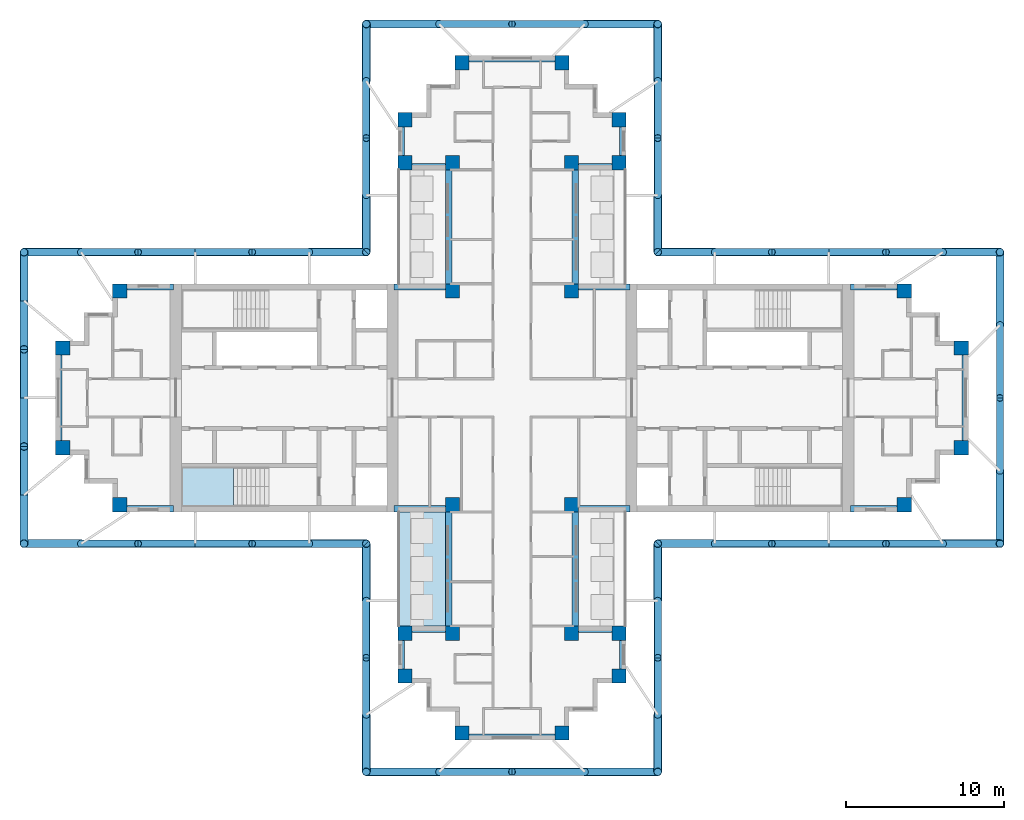
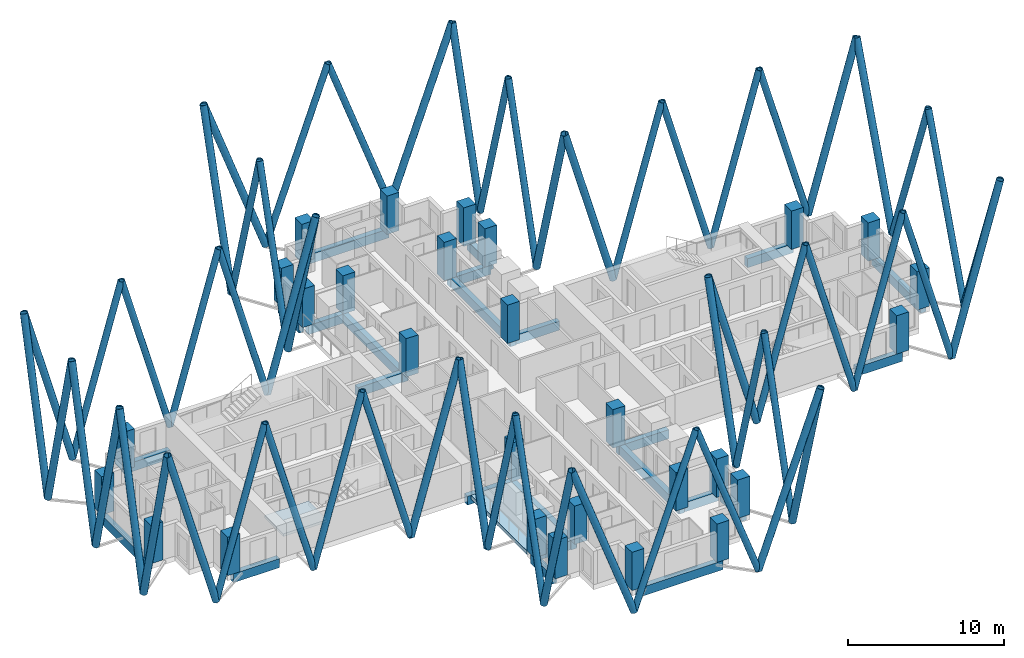
# One storey, part 1 of 11: 58 members, 28 columns, 24 beams, 2 slabs, 1 element without a shape of its own.
"""IFC4 building model written with IfcOpenShell, lengths in metres."""

from ifc_helpers import new_model, si_unit, direction, frame, origin, origin_2d, place, context, subcontext, project, spatial, polyline, rectangle, hollow_circle, outline, extrude, material, layer, layer_set, material_profile, profile_set, type_object, element, aggregate, save


model = new_model("IFC4")

# Units and contexts
model_context = context("Model", 3, precision=1e-05, world=origin(), true_north=direction((0.0, 1.0)))
body_context = subcontext(model_context, "Body", "Model", "MODEL_VIEW")
ifc_project = project(units=[si_unit("LENGTHUNIT", "METRE"), si_unit("AREAUNIT", "SQUARE_METRE"), si_unit("VOLUMEUNIT", "CUBIC_METRE"), si_unit("PLANEANGLEUNIT", "RADIAN"), si_unit("MASSUNIT", "GRAM", prefix="KILO")], contexts=[model_context])

# Site, building, storey
site_placement = place(None, origin())
site = spatial("IfcSite", under=ifc_project, at=site_placement, CompositionType="ELEMENT")
building_placement = place(site_placement, origin())
building = spatial("IfcBuilding", under=site, at=building_placement, Name="Fustian Cross Tower", CompositionType="ELEMENT")
storey_placement = place(building_placement, frame((0.0, 0.0, 234.89990234375)))
storey = spatial("IfcBuildingStorey", under=building, at=storey_placement, Name="L74", CompositionType="ELEMENT", Elevation=234.89990234375)

# Columns
ifc_material_1 = material(Name="Concrete C40/50", Category="concrete")
ifc_material_profile_1 = material_profile(ifc_material_1, rectangle(XDim=0.89990234375, YDim=0.89990234375, at=origin_2d()), Name="RC 900x900")
ifc_profile_set_1 = profile_set([ifc_material_profile_1], Name="Concrete C40/50")
column_type = type_object("IfcColumnType", Name="COLUMN RC 900x900 C40/50", PredefinedType="COLUMN", material=ifc_profile_set_1)
for number, where, z_axis, x_axis, name in (
    (1, (-28.35009765625, -3.14990234375, 0.0), (0.0, 0.0, 1.0), (1.0, 0.0, 0.0), "COLUMN 008"),
    (2, (-28.35009765625, 3.14990234375, 0.0), (0.0, 0.0, 1.0), (1.0, 0.0, 0.0), "COLUMN 009"),
    (3, (-24.75, -6.75, 0.0), (0.0, 0.0, 1.0), (1.0, 0.0, 0.0), "COLUMN 011"),
    (4, (-24.75, 6.75, 0.0), (0.0, 0.0, 1.0), (1.0, 0.0, 0.0), "COLUMN 012"),
    (5, (-6.75, -17.550048828125, 0.0), (0.0, 0.0, 1.0), (1.0, 0.0, 0.0), "COLUMN 017"),
    (6, (-6.75, -14.85009765625, 0.0), (0.0, 0.0, 1.0), (1.0, 0.0, 0.0), "COLUMN 018"),
    (7, (-6.75, 14.85009765625, 0.0), (0.0, 0.0, 1.0), (1.0, 0.0, 0.0), "COLUMN 019"),
    (8, (-6.75, 17.550048828125, 0.0), (0.0, 0.0, 1.0), (1.0, 0.0, 0.0), "COLUMN 020"),
    (9, (-3.75, -14.85009765625, 0.0), (0.0, 0.0, 1.0), (1.0, 0.0, 0.0), "COLUMN 025"),
    (10, (-3.75, -6.75, 0.0), (0.0, 0.0, 1.0), (1.0, 0.0, 0.0), "COLUMN 026"),
    (11, (-3.75, 6.75, 0.0), (0.0, 0.0, 1.0), (1.0, 0.0, 0.0), "COLUMN 027"),
    (12, (-3.75, 14.85009765625, 0.0), (0.0, 0.0, 1.0), (1.0, 0.0, 0.0), "COLUMN 028"),
    (13, (-3.14990234375, -21.14990234375, 0.0), (0.0, 0.0, 1.0), (1.0, 0.0, 0.0), "COLUMN 030"),
    (14, (-3.14990234375, 21.14990234375, 0.0), (0.0, 0.0, 1.0), (1.0, 0.0, 0.0), "COLUMN 031"),
    (15, (3.14990234375, -21.14990234375, 0.0), (0.0, 0.0, 1.0), (1.0, 0.0, 0.0), "COLUMN 034"),
    (16, (3.14990234375, 21.14990234375, 0.0), (0.0, 0.0, 1.0), (1.0, 0.0, 0.0), "COLUMN 035"),
    (17, (3.75, -14.85009765625, 0.0), (0.0, 0.0, 1.0), (1.0, 0.0, 0.0), "COLUMN 037"),
    (18, (3.75, -6.75, 0.0), (0.0, 0.0, 1.0), (1.0, 0.0, 0.0), "COLUMN 038"),
    (19, (3.75, 6.75, 0.0), (0.0, 0.0, 1.0), (1.0, 0.0, 0.0), "COLUMN 039"),
    (20, (3.75, 14.85009765625, 0.0), (0.0, 0.0, 1.0), (1.0, 0.0, 0.0), "COLUMN 040"),
    (21, (6.75, -17.550048828125, 0.0), (0.0, 0.0, 1.0), (1.0, 0.0, 0.0), "COLUMN 045"),
    (22, (6.75, -14.85009765625, 0.0), (0.0, 0.0, 1.0), (1.0, 0.0, 0.0), "COLUMN 046"),
    (23, (6.75, 14.85009765625, 0.0), (0.0, 0.0, 1.0), (1.0, 0.0, 0.0), "COLUMN 047"),
    (24, (6.75, 17.550048828125, 0.0), (0.0, 0.0, 1.0), (1.0, 0.0, 0.0), "COLUMN 048"),
    (25, (24.75, -6.75, 0.0), (0.0, 0.0, 1.0), (1.0, 0.0, 0.0), "COLUMN 053"),
    (26, (24.75, 6.75, 0.0), (0.0, 0.0, 1.0), (1.0, 0.0, 0.0), "COLUMN 054"),
    (27, (28.35009765625, -3.14990234375, 0.0), (0.0, 0.0, 1.0), (1.0, 0.0, 0.0), "COLUMN 056"),
    (28, (28.35009765625, 3.14990234375, 0.0), (0.0, 0.0, 1.0), (1.0, 0.0, 0.0), "COLUMN 057"),
):
    element("IfcColumn", number, at=place(storey_placement, frame(where, z_axis=z_axis, x_axis=x_axis)), inside=storey, type_object=column_type, Name=name, PredefinedType="COLUMN", context=body_context, shape_type="SweptSolid", body=[
        extrude(rectangle(XDim=0.89990234375, YDim=0.89990234375, at=origin_2d()), origin(), (0.0, 0.0, 1.0), 3.0),
    ])

# Members
ifc_material_2 = material(Name="Steel S355", Category="steel")
ifc_material_profile_2 = material_profile(ifc_material_2, hollow_circle(Radius=0.228515625, WallThickness=0.01611328125, at=origin_2d()), Name="CHS 457x16")
ifc_profile_set_2 = profile_set([ifc_material_profile_2], Name="Steel S355")
member_type_1 = type_object("IfcMemberType", Name="DIAGRID DIAGONAL CHS 457x16", PredefinedType="BRACE", material=ifc_profile_set_2)
for number, where, z_axis, x_axis, name in (
    (29, (12.800048828125, -9.199951171875, 0.0), (0.27470882462, 0.0, 0.961527462778), (0.0, 1.0, 0.0), "Diagrid diagonal E-S 02"),
    (30, (20.0, -9.199951171875, 0.0), (-0.27472604917, 0.0, 0.961522541549), (0.0, -1.0, 0.0), "Diagrid diagonal E-S 03"),
    (31, (20.0, -9.199951171875, 0.0), (0.27472604917, 0.0, 0.961522541549), (0.0, 1.0, 0.0), "Diagrid diagonal E-S 04"),
    (32, (27.199951171875, -9.199951171875, 0.0), (-0.27470882462, 0.0, 0.961527462778), (0.0, -1.0, 0.0), "Diagrid diagonal E-S 05"),
):
    element("IfcMember", number, at=place(storey_placement, frame(where, z_axis=z_axis, x_axis=x_axis)), inside=storey, type_object=member_type_1, Name=name, PredefinedType="BRACE", context=body_context, shape_type="SweptSolid", body=[
        extrude(hollow_circle(Radius=0.228515625, WallThickness=0.01611328125, at=origin_2d()), origin(), (0.0, 0.0, 1.0), 13.104248046875),
    ])
for number, where, z_axis, x_axis, name in (
    (33, (30.800048828125, -4.60009765625, 0.0), (0.0, 0.342944052746, 0.939355830709), (-1.0, 0.0, 0.0), "Diagrid diagonal E-end 02"),
    (34, (30.800048828125, 4.60009765625, 0.0), (0.0, -0.342944052746, 0.939355830709), (1.0, 0.0, 0.0), "Diagrid diagonal E-end 03"),
):
    element("IfcMember", number, at=place(storey_placement, frame(where, z_axis=z_axis, x_axis=x_axis)), inside=storey, type_object=member_type_1, Name=name, PredefinedType="BRACE", context=body_context, shape_type="SweptSolid", body=[
        extrude(hollow_circle(Radius=0.228515625, WallThickness=0.01611328125, at=origin_2d()), origin(), (0.0, 0.0, 1.0), 13.41357421875),
    ])
for number, where, z_axis, x_axis, name in (
    (35, (27.199951171875, 9.199951171875, 0.0), (-0.27470882462, 0.0, 0.961527462778), (0.0, -1.0, 0.0), "Diagrid diagonal E-N 02"),
    (36, (20.0, 9.199951171875, 0.0), (0.27472604917, 0.0, 0.961522541549), (0.0, 1.0, 0.0), "Diagrid diagonal E-N 03"),
    (37, (20.0, 9.199951171875, 0.0), (-0.27472604917, 0.0, 0.961522541549), (0.0, -1.0, 0.0), "Diagrid diagonal E-N 04"),
    (38, (12.800048828125, 9.199951171875, 0.0), (0.27470882462, 0.0, 0.961527462778), (0.0, 1.0, 0.0), "Diagrid diagonal E-N 05"),
    (39, (9.199951171875, 12.800048828125, 0.0), (0.0, 0.27470882462, 0.961527462778), (-1.0, 0.0, 0.0), "Diagrid diagonal N-E 02"),
    (40, (9.199951171875, 20.0, 0.0), (0.0, -0.27472604917, 0.961522541549), (1.0, 0.0, 0.0), "Diagrid diagonal N-E 03"),
):
    element("IfcMember", number, at=place(storey_placement, frame(where, z_axis=z_axis, x_axis=x_axis)), inside=storey, type_object=member_type_1, Name=name, PredefinedType="BRACE", context=body_context, shape_type="SweptSolid", body=[
        extrude(hollow_circle(Radius=0.228515625, WallThickness=0.01611328125, at=origin_2d()), origin(), (0.0, 0.0, 1.0), 13.104248046875),
    ])
for number, where, z_axis, x_axis, name in (
    (41, (4.60009765625, 23.60009765625, 0.0), (-0.342944052746, 0.0, 0.939355830709), (0.0, -1.0, 0.0), "Diagrid diagonal N-end 02"),
    (42, (-4.60009765625, 23.60009765625, 0.0), (0.342944052746, 0.0, 0.939355830709), (0.0, 1.0, 0.0), "Diagrid diagonal N-end 03"),
):
    element("IfcMember", number, at=place(storey_placement, frame(where, z_axis=z_axis, x_axis=x_axis)), inside=storey, type_object=member_type_1, Name=name, PredefinedType="BRACE", context=body_context, shape_type="SweptSolid", body=[
        extrude(hollow_circle(Radius=0.228515625, WallThickness=0.01611328125, at=origin_2d()), origin(), (0.0, 0.0, 1.0), 13.41357421875),
    ])
for number, where, z_axis, x_axis, name in (
    (43, (-9.199951171875, 20.0, 0.0), (0.0, -0.27472604917, 0.961522541549), (1.0, 0.0, 0.0), "Diagrid diagonal N-W 02"),
    (44, (-9.199951171875, 12.800048828125, 0.0), (0.0, 0.27470882462, 0.961527462778), (-1.0, 0.0, 0.0), "Diagrid diagonal N-W 03"),
    (45, (-12.800048828125, 9.199951171875, 0.0), (-0.27470882462, 0.0, 0.961527462778), (0.0, -1.0, 0.0), "Diagrid diagonal W-N 02"),
    (46, (-20.0, 9.199951171875, 0.0), (0.27472604917, 0.0, 0.961522541549), (0.0, 1.0, 0.0), "Diagrid diagonal W-N 03"),
    (47, (-20.0, 9.199951171875, 0.0), (-0.27472604917, 0.0, 0.961522541549), (0.0, -1.0, 0.0), "Diagrid diagonal W-N 04"),
    (48, (-27.199951171875, 9.199951171875, 0.0), (0.27470882462, 0.0, 0.961527462778), (0.0, 1.0, 0.0), "Diagrid diagonal W-N 05"),
    (49, (-27.199951171875, -9.199951171875, 0.0), (0.27470882462, 0.0, 0.961527462778), (0.0, 1.0, 0.0), "Diagrid diagonal W-S 02"),
    (50, (-20.0, -9.199951171875, 0.0), (-0.27472604917, 0.0, 0.961522541549), (0.0, -1.0, 0.0), "Diagrid diagonal W-S 03"),
    (51, (-20.0, -9.199951171875, 0.0), (0.27472604917, 0.0, 0.961522541549), (0.0, 1.0, 0.0), "Diagrid diagonal W-S 04"),
    (52, (-12.800048828125, -9.199951171875, 0.0), (-0.27470882462, 0.0, 0.961527462778), (0.0, -1.0, 0.0), "Diagrid diagonal W-S 05"),
    (53, (-9.199951171875, -12.800048828125, 0.0), (0.0, -0.27470882462, 0.961527462778), (1.0, 0.0, 0.0), "Diagrid diagonal S-W 02"),
    (54, (-9.199951171875, -20.0, 0.0), (0.0, 0.27472604917, 0.961522541549), (-1.0, 0.0, 0.0), "Diagrid diagonal S-W 03"),
):
    element("IfcMember", number, at=place(storey_placement, frame(where, z_axis=z_axis, x_axis=x_axis)), inside=storey, type_object=member_type_1, Name=name, PredefinedType="BRACE", context=body_context, shape_type="SweptSolid", body=[
        extrude(hollow_circle(Radius=0.228515625, WallThickness=0.01611328125, at=origin_2d()), origin(), (0.0, 0.0, 1.0), 13.104248046875),
    ])
for number, where, z_axis, x_axis, name in (
    (55, (-4.60009765625, -23.60009765625, 0.0), (0.342944052746, 0.0, 0.939355830709), (0.0, 1.0, 0.0), "Diagrid diagonal S-end 02"),
    (56, (4.60009765625, -23.60009765625, 0.0), (-0.342944052746, 0.0, 0.939355830709), (0.0, -1.0, 0.0), "Diagrid diagonal S-end 03"),
):
    element("IfcMember", number, at=place(storey_placement, frame(where, z_axis=z_axis, x_axis=x_axis)), inside=storey, type_object=member_type_1, Name=name, PredefinedType="BRACE", context=body_context, shape_type="SweptSolid", body=[
        extrude(hollow_circle(Radius=0.228515625, WallThickness=0.01611328125, at=origin_2d()), origin(), (0.0, 0.0, 1.0), 13.41357421875),
    ])
for number, where, z_axis, x_axis, name in (
    (57, (9.199951171875, -20.0, 0.0), (0.0, 0.27472604917, 0.961522541549), (-1.0, 0.0, 0.0), "Diagrid diagonal S-E 02"),
    (58, (9.199951171875, -12.800048828125, 0.0), (0.0, -0.27470882462, 0.961527462778), (1.0, 0.0, 0.0), "Diagrid diagonal S-E 03"),
):
    element("IfcMember", number, at=place(storey_placement, frame(where, z_axis=z_axis, x_axis=x_axis)), inside=storey, type_object=member_type_1, Name=name, PredefinedType="BRACE", context=body_context, shape_type="SweptSolid", body=[
        extrude(hollow_circle(Radius=0.228515625, WallThickness=0.01611328125, at=origin_2d()), origin(), (0.0, 0.0, 1.0), 13.104248046875),
    ])
ifc_material_3 = material(Name="Steel S355", Category="steel")
ifc_material_profile_3 = material_profile(ifc_material_3, hollow_circle(Radius=0.25390625, WallThickness=0.02001953125, at=origin_2d()), Name="CHS 508x20")
ifc_profile_set_3 = profile_set([ifc_material_profile_3], Name="Steel S355")
member_type_2 = type_object("IfcMemberType", Name="DIAGRID DIAGONAL CHS 508x20", PredefinedType="BRACE", material=ifc_profile_set_3)
for number, where, z_axis, x_axis, name in (
    (59, (12.800048828125, -9.199951171875, 0.0), (-0.27472604917, 0.0, 0.961522541549), (0.0, -1.0, 0.0), "Diagrid diagonal E-S 01"),
    (60, (27.199951171875, -9.199951171875, 0.0), (0.27472604917, 0.0, 0.961522541549), (0.0, 1.0, 0.0), "Diagrid diagonal E-S 06"),
):
    element("IfcMember", number, at=place(storey_placement, frame(where, z_axis=z_axis, x_axis=x_axis)), inside=storey, type_object=member_type_2, Name=name, PredefinedType="BRACE", context=body_context, shape_type="SweptSolid", body=[
        extrude(hollow_circle(Radius=0.25390625, WallThickness=0.02001953125, at=origin_2d()), origin(), (0.0, 0.0, 1.0), 13.104248046875),
    ])
for number, where, z_axis, x_axis, name in (
    (61, (30.800048828125, -4.60009765625, 0.0), (0.0, -0.342927992188, 0.93936169401), (1.0, 0.0, 0.0), "Diagrid diagonal E-end 01"),
    (62, (30.800048828125, 4.60009765625, 0.0), (0.0, 0.342927992188, 0.93936169401), (-1.0, 0.0, 0.0), "Diagrid diagonal E-end 04"),
):
    element("IfcMember", number, at=place(storey_placement, frame(where, z_axis=z_axis, x_axis=x_axis)), inside=storey, type_object=member_type_2, Name=name, PredefinedType="BRACE", context=body_context, shape_type="SweptSolid", body=[
        extrude(hollow_circle(Radius=0.25390625, WallThickness=0.02001953125, at=origin_2d()), origin(), (0.0, 0.0, 1.0), 13.41357421875),
    ])
for number, where, z_axis, x_axis, name in (
    (63, (27.199951171875, 9.199951171875, 0.0), (0.27472604917, 0.0, 0.961522541549), (0.0, 1.0, 0.0), "Diagrid diagonal E-N 01"),
    (64, (12.800048828125, 9.199951171875, 0.0), (-0.27472604917, 0.0, 0.961522541549), (0.0, -1.0, 0.0), "Diagrid diagonal E-N 06"),
    (65, (9.199951171875, 12.800048828125, 0.0), (0.0, -0.27472604917, 0.961522541549), (1.0, 0.0, 0.0), "Diagrid diagonal N-E 01"),
    (66, (9.199951171875, 20.0, 0.0), (0.0, 0.27472604917, 0.961522541549), (-1.0, 0.0, 0.0), "Diagrid diagonal N-E 04"),
):
    element("IfcMember", number, at=place(storey_placement, frame(where, z_axis=z_axis, x_axis=x_axis)), inside=storey, type_object=member_type_2, Name=name, PredefinedType="BRACE", context=body_context, shape_type="SweptSolid", body=[
        extrude(hollow_circle(Radius=0.25390625, WallThickness=0.02001953125, at=origin_2d()), origin(), (0.0, 0.0, 1.0), 13.104248046875),
    ])
for number, where, z_axis, x_axis, name in (
    (67, (4.60009765625, 23.60009765625, 0.0), (0.342927992188, 0.0, 0.93936169401), (0.0, 1.0, 0.0), "Diagrid diagonal N-end 01"),
    (68, (-4.60009765625, 23.60009765625, 0.0), (-0.342927992188, 0.0, 0.93936169401), (0.0, -1.0, 0.0), "Diagrid diagonal N-end 04"),
):
    element("IfcMember", number, at=place(storey_placement, frame(where, z_axis=z_axis, x_axis=x_axis)), inside=storey, type_object=member_type_2, Name=name, PredefinedType="BRACE", context=body_context, shape_type="SweptSolid", body=[
        extrude(hollow_circle(Radius=0.25390625, WallThickness=0.02001953125, at=origin_2d()), origin(), (0.0, 0.0, 1.0), 13.41357421875),
    ])
for number, where, z_axis, x_axis, name in (
    (69, (-9.199951171875, 20.0, 0.0), (0.0, 0.27472604917, 0.961522541549), (-1.0, 0.0, 0.0), "Diagrid diagonal N-W 01"),
    (70, (-9.199951171875, 12.800048828125, 0.0), (0.0, -0.27472604917, 0.961522541549), (1.0, 0.0, 0.0), "Diagrid diagonal N-W 04"),
    (71, (-12.800048828125, 9.199951171875, 0.0), (0.27472604917, 0.0, 0.961522541549), (0.0, 1.0, 0.0), "Diagrid diagonal W-N 01"),
    (72, (-27.199951171875, 9.199951171875, 0.0), (-0.27472604917, 0.0, 0.961522541549), (0.0, -1.0, 0.0), "Diagrid diagonal W-N 06"),
):
    element("IfcMember", number, at=place(storey_placement, frame(where, z_axis=z_axis, x_axis=x_axis)), inside=storey, type_object=member_type_2, Name=name, PredefinedType="BRACE", context=body_context, shape_type="SweptSolid", body=[
        extrude(hollow_circle(Radius=0.25390625, WallThickness=0.02001953125, at=origin_2d()), origin(), (0.0, 0.0, 1.0), 13.104248046875),
    ])
for number, where, z_axis, x_axis, name in (
    (73, (-30.800048828125, 6.13330078125, 0.0), (0.0, 0.236479844077, 0.971636394618), (-1.0, 0.0, 0.0), "Diagrid diagonal W-end 01"),
    (74, (-30.800048828125, 6.13330078125, 0.0), (0.0, -0.236479844077, 0.971636394618), (1.0, 0.0, 0.0), "Diagrid diagonal W-end 02"),
    (75, (-30.800048828125, 0.0, 0.0), (0.0, 0.236479844077, 0.971636394618), (-1.0, 0.0, 0.0), "Diagrid diagonal W-end 03"),
    (76, (-30.800048828125, 0.0, 0.0), (0.0, -0.236479844077, 0.971636394618), (1.0, 0.0, 0.0), "Diagrid diagonal W-end 04"),
    (77, (-30.800048828125, -6.13330078125, 0.0), (0.0, 0.236479844077, 0.971636394618), (-1.0, 0.0, 0.0), "Diagrid diagonal W-end 05"),
    (78, (-30.800048828125, -6.13330078125, 0.0), (0.0, -0.236479844077, 0.971636394618), (1.0, 0.0, 0.0), "Diagrid diagonal W-end 06"),
):
    element("IfcMember", number, at=place(storey_placement, frame(where, z_axis=z_axis, x_axis=x_axis)), inside=storey, type_object=member_type_2, Name=name, PredefinedType="BRACE", context=body_context, shape_type="SweptSolid", body=[
        extrude(hollow_circle(Radius=0.25390625, WallThickness=0.02001953125, at=origin_2d()), origin(), (0.0, 0.0, 1.0), 12.968017578125),
    ])
for number, where, z_axis, x_axis, name in (
    (79, (-27.199951171875, -9.199951171875, 0.0), (-0.27472604917, 0.0, 0.961522541549), (0.0, -1.0, 0.0), "Diagrid diagonal W-S 01"),
    (80, (-12.800048828125, -9.199951171875, 0.0), (0.27472604917, 0.0, 0.961522541549), (0.0, 1.0, 0.0), "Diagrid diagonal W-S 06"),
    (81, (-9.199951171875, -12.800048828125, 0.0), (0.0, 0.27472604917, 0.961522541549), (-1.0, 0.0, 0.0), "Diagrid diagonal S-W 01"),
    (82, (-9.199951171875, -20.0, 0.0), (0.0, -0.27472604917, 0.961522541549), (1.0, 0.0, 0.0), "Diagrid diagonal S-W 04"),
):
    element("IfcMember", number, at=place(storey_placement, frame(where, z_axis=z_axis, x_axis=x_axis)), inside=storey, type_object=member_type_2, Name=name, PredefinedType="BRACE", context=body_context, shape_type="SweptSolid", body=[
        extrude(hollow_circle(Radius=0.25390625, WallThickness=0.02001953125, at=origin_2d()), origin(), (0.0, 0.0, 1.0), 13.104248046875),
    ])
for number, where, z_axis, x_axis, name in (
    (83, (-4.60009765625, -23.60009765625, 0.0), (-0.342927992188, 0.0, 0.93936169401), (0.0, -1.0, 0.0), "Diagrid diagonal S-end 01"),
    (84, (4.60009765625, -23.60009765625, 0.0), (0.342927992188, 0.0, 0.93936169401), (0.0, 1.0, 0.0), "Diagrid diagonal S-end 04"),
):
    element("IfcMember", number, at=place(storey_placement, frame(where, z_axis=z_axis, x_axis=x_axis)), inside=storey, type_object=member_type_2, Name=name, PredefinedType="BRACE", context=body_context, shape_type="SweptSolid", body=[
        extrude(hollow_circle(Radius=0.25390625, WallThickness=0.02001953125, at=origin_2d()), origin(), (0.0, 0.0, 1.0), 13.41357421875),
    ])
for number, where, z_axis, x_axis, name in (
    (85, (9.199951171875, -20.0, 0.0), (0.0, -0.27472604917, 0.961522541549), (1.0, 0.0, 0.0), "Diagrid diagonal S-E 01"),
    (86, (9.199951171875, -12.800048828125, 0.0), (0.0, 0.27472604917, 0.961522541549), (-1.0, 0.0, 0.0), "Diagrid diagonal S-E 04"),
):
    element("IfcMember", number, at=place(storey_placement, frame(where, z_axis=z_axis, x_axis=x_axis)), inside=storey, type_object=member_type_2, Name=name, PredefinedType="BRACE", context=body_context, shape_type="SweptSolid", body=[
        extrude(hollow_circle(Radius=0.25390625, WallThickness=0.02001953125, at=origin_2d()), origin(), (0.0, 0.0, 1.0), 13.104248046875),
    ])

# Beams
ifc_material_4 = material(Name="Concrete C50/60", Category="concrete")
ifc_material_profile_4 = material_profile(ifc_material_4, rectangle(XDim=0.39990234375, YDim=0.699951171875, at=origin_2d()), Name="RC 400x700")
ifc_profile_set_4 = profile_set([ifc_material_profile_4], Name="Concrete C50/60")
beam_type = type_object("IfcBeamType", Name="EDGE BEAM RC 400x700 C50/60", PredefinedType="SPANDREL", material=ifc_profile_set_4)
beam_1_placement = place(storey_placement, frame((21.35009765625, -7.0, -0.349853515625), z_axis=(1.0, 0.0, 0.0), x_axis=(0.0, 1.0, 0.0)))
element("IfcBeam", 87, at=beam_1_placement, inside=storey, type_object=beam_type, Name="EDGE BEAM L74-01", PredefinedType="SPANDREL", context=body_context, shape_type="SweptSolid", body=[
    extrude(rectangle(XDim=0.39990234375, YDim=0.699951171875, at=origin_2d()), origin(), (0.0, 0.0, 1.0), 3.39990234375),
])
beam_2_placement = place(storey_placement, frame((28.60009765625, -3.14990234375, -0.349853515625), z_axis=(0.0, 1.0, 0.0), x_axis=(-1.0, 0.0, 0.0)))
element("IfcBeam", 88, at=beam_2_placement, inside=storey, type_object=beam_type, Name="EDGE BEAM L74-02", PredefinedType="SPANDREL", context=body_context, shape_type="SweptSolid", body=[
    extrude(rectangle(XDim=0.39990234375, YDim=0.699951171875, at=origin_2d()), origin(), (0.0, 0.0, 1.0), 6.2998046875),
])
beam_3_placement = place(storey_placement, frame((24.75, 7.0, -0.349853515625), z_axis=(-1.0, 0.0, 0.0), x_axis=(0.0, -1.0, 0.0)))
element("IfcBeam", 89, at=beam_3_placement, inside=storey, type_object=beam_type, Name="EDGE BEAM L74-03", PredefinedType="SPANDREL", context=body_context, shape_type="SweptSolid", body=[
    extrude(rectangle(XDim=0.39990234375, YDim=0.699951171875, at=origin_2d()), origin(), (0.0, 0.0, 1.0), 3.39990234375),
])
beam_4_placement = place(storey_placement, frame((7.449951171875, 7.0, -0.349853515625), z_axis=(-1.0, 0.0, 0.0), x_axis=(0.0, -1.0, 0.0)))
element("IfcBeam", 90, at=beam_4_placement, inside=storey, type_object=beam_type, Name="EDGE BEAM L74-04", PredefinedType="SPANDREL", context=body_context, shape_type="SweptSolid", body=[
    extrude(rectangle(XDim=0.39990234375, YDim=0.699951171875, at=origin_2d()), origin(), (0.0, 0.0, 1.0), 3.699951171875),
])
beam_5_placement = place(storey_placement, frame((4.0, 6.75, -0.349853515625), z_axis=(0.0, 1.0, 0.0), x_axis=(-1.0, 0.0, 0.0)))
element("IfcBeam", 91, at=beam_5_placement, inside=storey, type_object=beam_type, Name="EDGE BEAM L74-05", PredefinedType="SPANDREL", context=body_context, shape_type="SweptSolid", body=[
    extrude(rectangle(XDim=0.39990234375, YDim=0.699951171875, at=origin_2d()), origin(), (0.0, 0.0, 1.0), 8.10009765625),
])
beam_6_placement = place(storey_placement, frame((3.75, 14.60009765625, -0.349853515625), z_axis=(1.0, 0.0, 0.0), x_axis=(0.0, 1.0, 0.0)))
element("IfcBeam", 92, at=beam_6_placement, inside=storey, type_object=beam_type, Name="EDGE BEAM L74-06", PredefinedType="SPANDREL", context=body_context, shape_type="SweptSolid", body=[
    extrude(rectangle(XDim=0.39990234375, YDim=0.699951171875, at=origin_2d()), origin(), (0.0, 0.0, 1.0), 3.0),
])
beam_7_placement = place(storey_placement, frame((7.0, 14.85009765625, -0.349853515625), z_axis=(0.0, 1.0, 0.0), x_axis=(-1.0, 0.0, 0.0)))
element("IfcBeam", 93, at=beam_7_placement, inside=storey, type_object=beam_type, Name="EDGE BEAM L74-07", PredefinedType="SPANDREL", context=body_context, shape_type="SweptSolid", body=[
    extrude(rectangle(XDim=0.39990234375, YDim=0.699951171875, at=origin_2d()), origin(), (0.0, 0.0, 1.0), 2.699951171875),
])
beam_8_placement = place(storey_placement, frame((3.14990234375, 21.39990234375, -0.349853515625), z_axis=(-1.0, 0.0, 0.0), x_axis=(0.0, -1.0, 0.0)))
element("IfcBeam", 94, at=beam_8_placement, inside=storey, type_object=beam_type, Name="EDGE BEAM L74-08", PredefinedType="SPANDREL", context=body_context, shape_type="SweptSolid", body=[
    extrude(rectangle(XDim=0.39990234375, YDim=0.699951171875, at=origin_2d()), origin(), (0.0, 0.0, 1.0), 6.2998046875),
])
beam_9_placement = place(storey_placement, frame((-7.0, 17.550048828125, -0.349853515625), z_axis=(0.0, -1.0, 0.0), x_axis=(1.0, 0.0, 0.0)))
element("IfcBeam", 95, at=beam_9_placement, inside=storey, type_object=beam_type, Name="EDGE BEAM L74-09", PredefinedType="SPANDREL", context=body_context, shape_type="SweptSolid", body=[
    extrude(rectangle(XDim=0.39990234375, YDim=0.699951171875, at=origin_2d()), origin(), (0.0, 0.0, 1.0), 2.699951171875),
])
beam_10_placement = place(storey_placement, frame((-6.75, 14.60009765625, -0.349853515625), z_axis=(1.0, 0.0, 0.0), x_axis=(0.0, 1.0, 0.0)))
element("IfcBeam", 96, at=beam_10_placement, inside=storey, type_object=beam_type, Name="EDGE BEAM L74-10", PredefinedType="SPANDREL", context=body_context, shape_type="SweptSolid", body=[
    extrude(rectangle(XDim=0.39990234375, YDim=0.699951171875, at=origin_2d()), origin(), (0.0, 0.0, 1.0), 3.0),
])
beam_11_placement = place(storey_placement, frame((-4.0, 14.85009765625, -0.349853515625), z_axis=(0.0, -1.0, 0.0), x_axis=(1.0, 0.0, 0.0)))
element("IfcBeam", 97, at=beam_11_placement, inside=storey, type_object=beam_type, Name="EDGE BEAM L74-11", PredefinedType="SPANDREL", context=body_context, shape_type="SweptSolid", body=[
    extrude(rectangle(XDim=0.39990234375, YDim=0.699951171875, at=origin_2d()), origin(), (0.0, 0.0, 1.0), 8.10009765625),
])
beam_12_placement = place(storey_placement, frame((-3.75, 7.0, -0.349853515625), z_axis=(-1.0, 0.0, 0.0), x_axis=(0.0, -1.0, 0.0)))
element("IfcBeam", 98, at=beam_12_placement, inside=storey, type_object=beam_type, Name="EDGE BEAM L74-12", PredefinedType="SPANDREL", context=body_context, shape_type="SweptSolid", body=[
    extrude(rectangle(XDim=0.39990234375, YDim=0.699951171875, at=origin_2d()), origin(), (0.0, 0.0, 1.0), 3.699951171875),
])
beam_13_placement = place(storey_placement, frame((-21.35009765625, 7.0, -0.349853515625), z_axis=(-1.0, 0.0, 0.0), x_axis=(0.0, -1.0, 0.0)))
element("IfcBeam", 99, at=beam_13_placement, inside=storey, type_object=beam_type, Name="EDGE BEAM L74-13", PredefinedType="SPANDREL", context=body_context, shape_type="SweptSolid", body=[
    extrude(rectangle(XDim=0.39990234375, YDim=0.699951171875, at=origin_2d()), origin(), (0.0, 0.0, 1.0), 3.39990234375),
])
beam_14_placement = place(storey_placement, frame((-28.60009765625, 3.14990234375, -0.349853515625), z_axis=(0.0, -1.0, 0.0), x_axis=(1.0, 0.0, 0.0)))
element("IfcBeam", 100, at=beam_14_placement, inside=storey, type_object=beam_type, Name="EDGE BEAM L74-14", PredefinedType="SPANDREL", context=body_context, shape_type="SweptSolid", body=[
    extrude(rectangle(XDim=0.39990234375, YDim=0.699951171875, at=origin_2d()), origin(), (0.0, 0.0, 1.0), 6.2998046875),
])
beam_15_placement = place(storey_placement, frame((-24.75, -7.0, -0.349853515625), z_axis=(1.0, 0.0, 0.0), x_axis=(0.0, 1.0, 0.0)))
element("IfcBeam", 101, at=beam_15_placement, inside=storey, type_object=beam_type, Name="EDGE BEAM L74-15", PredefinedType="SPANDREL", context=body_context, shape_type="SweptSolid", body=[
    extrude(rectangle(XDim=0.39990234375, YDim=0.699951171875, at=origin_2d()), origin(), (0.0, 0.0, 1.0), 3.39990234375),
])
beam_16_placement = place(storey_placement, frame((-7.449951171875, -7.0, -0.349853515625), z_axis=(1.0, 0.0, 0.0), x_axis=(0.0, 1.0, 0.0)))
element("IfcBeam", 102, at=beam_16_placement, inside=storey, type_object=beam_type, Name="EDGE BEAM L74-16", PredefinedType="SPANDREL", context=body_context, shape_type="SweptSolid", body=[
    extrude(rectangle(XDim=0.39990234375, YDim=0.699951171875, at=origin_2d()), origin(), (0.0, 0.0, 1.0), 3.699951171875),
])
beam_17_placement = place(storey_placement, frame((-4.0, -6.75, -0.349853515625), z_axis=(0.0, -1.0, 0.0), x_axis=(1.0, 0.0, 0.0)))
element("IfcBeam", 103, at=beam_17_placement, inside=storey, type_object=beam_type, Name="EDGE BEAM L74-17", PredefinedType="SPANDREL", context=body_context, shape_type="SweptSolid", body=[
    extrude(rectangle(XDim=0.39990234375, YDim=0.699951171875, at=origin_2d()), origin(), (0.0, 0.0, 1.0), 8.10009765625),
])
beam_18_placement = place(storey_placement, frame((-3.75, -14.60009765625, -0.349853515625), z_axis=(-1.0, 0.0, 0.0), x_axis=(0.0, -1.0, 0.0)))
element("IfcBeam", 104, at=beam_18_placement, inside=storey, type_object=beam_type, Name="EDGE BEAM L74-18", PredefinedType="SPANDREL", context=body_context, shape_type="SweptSolid", body=[
    extrude(rectangle(XDim=0.39990234375, YDim=0.699951171875, at=origin_2d()), origin(), (0.0, 0.0, 1.0), 3.0),
])
beam_19_placement = place(storey_placement, frame((-7.0, -14.85009765625, -0.349853515625), z_axis=(0.0, -1.0, 0.0), x_axis=(1.0, 0.0, 0.0)))
element("IfcBeam", 105, at=beam_19_placement, inside=storey, type_object=beam_type, Name="EDGE BEAM L74-19", PredefinedType="SPANDREL", context=body_context, shape_type="SweptSolid", body=[
    extrude(rectangle(XDim=0.39990234375, YDim=0.699951171875, at=origin_2d()), origin(), (0.0, 0.0, 1.0), 2.699951171875),
])
beam_20_placement = place(storey_placement, frame((-3.14990234375, -21.39990234375, -0.349853515625), z_axis=(1.0, 0.0, 0.0), x_axis=(0.0, 1.0, 0.0)))
element("IfcBeam", 106, at=beam_20_placement, inside=storey, type_object=beam_type, Name="EDGE BEAM L74-20", PredefinedType="SPANDREL", context=body_context, shape_type="SweptSolid", body=[
    extrude(rectangle(XDim=0.39990234375, YDim=0.699951171875, at=origin_2d()), origin(), (0.0, 0.0, 1.0), 6.2998046875),
])
beam_21_placement = place(storey_placement, frame((7.0, -17.550048828125, -0.349853515625), z_axis=(0.0, 1.0, 0.0), x_axis=(-1.0, 0.0, 0.0)))
element("IfcBeam", 107, at=beam_21_placement, inside=storey, type_object=beam_type, Name="EDGE BEAM L74-21", PredefinedType="SPANDREL", context=body_context, shape_type="SweptSolid", body=[
    extrude(rectangle(XDim=0.39990234375, YDim=0.699951171875, at=origin_2d()), origin(), (0.0, 0.0, 1.0), 2.699951171875),
])
beam_22_placement = place(storey_placement, frame((6.75, -14.60009765625, -0.349853515625), z_axis=(-1.0, 0.0, 0.0), x_axis=(0.0, -1.0, 0.0)))
element("IfcBeam", 108, at=beam_22_placement, inside=storey, type_object=beam_type, Name="EDGE BEAM L74-22", PredefinedType="SPANDREL", context=body_context, shape_type="SweptSolid", body=[
    extrude(rectangle(XDim=0.39990234375, YDim=0.699951171875, at=origin_2d()), origin(), (0.0, 0.0, 1.0), 3.0),
])
beam_23_placement = place(storey_placement, frame((4.0, -14.85009765625, -0.349853515625), z_axis=(0.0, 1.0, 0.0), x_axis=(-1.0, 0.0, 0.0)))
element("IfcBeam", 109, at=beam_23_placement, inside=storey, type_object=beam_type, Name="EDGE BEAM L74-23", PredefinedType="SPANDREL", context=body_context, shape_type="SweptSolid", body=[
    extrude(rectangle(XDim=0.39990234375, YDim=0.699951171875, at=origin_2d()), origin(), (0.0, 0.0, 1.0), 8.10009765625),
])
beam_24_placement = place(storey_placement, frame((3.75, -7.0, -0.349853515625), z_axis=(1.0, 0.0, 0.0), x_axis=(0.0, 1.0, 0.0)))
element("IfcBeam", 110, at=beam_24_placement, inside=storey, type_object=beam_type, Name="EDGE BEAM L74-24", PredefinedType="SPANDREL", context=body_context, shape_type="SweptSolid", body=[
    extrude(rectangle(XDim=0.39990234375, YDim=0.699951171875, at=origin_2d()), origin(), (0.0, 0.0, 1.0), 3.699951171875),
])

# Slab
ifc_material_5 = material(Name="Concrete C40/50", Category="concrete")
ifc_layer_1 = layer(ifc_material_5, 0.300048828125)
ifc_layer_set_1 = layer_set([ifc_layer_1], Name="Concrete C40/50")
slab_type_1 = type_object("IfcSlabType", Name="BS1 BALCONY SLAB 300", PredefinedType="FLOOR", material=ifc_layer_set_1)
slab_1_placement = place(storey_placement, frame((0.0, 0.0, -0.2998046875)))
element("IfcSlab", 111, at=slab_1_placement, inside=storey, type_object=slab_type_1, Name="Balcony slab", PredefinedType="FLOOR", context=body_context, shape_type="SweptSolid", body=[
    extrude(outline(polyline([(-7.199951171875, -14.39990234375), (-4.199951171875, -14.39990234375), (-4.199951171875, -7.199951171875), (-7.199951171875, -7.199951171875), (-7.199951171875, -14.39990234375)])), origin(), (0.0, 0.0, 1.0), 0.2998046875),
])

# Stair, slab
ifc_material_6 = material(Name="Concrete C50/60", Category="concrete")
stair_type = type_object("IfcStairType", Name="STAIR 1200 HALF TURN", PredefinedType="HALF_TURN_STAIR", material=ifc_material_6)
stair_placement = place(storey_placement, origin())
stair = element("IfcStair", 112, at=stair_placement, inside=storey, type_object=stair_type, Name="Stair ST4", PredefinedType="HALF_TURN_STAIR")
ifc_material_7 = material(Name="Concrete C50/60", Category="concrete")
ifc_layer_2 = layer(ifc_material_7, 0.199951171875)
ifc_layer_set_2 = layer_set([ifc_layer_2], Name="Concrete C50/60")
slab_type_2 = type_object("IfcSlabType", Name="STAIR LANDING", PredefinedType="LANDING", material=ifc_layer_set_2)
slab_2_placement = place(storey_placement, frame((0.0, 0.0, 1.300048828125)))
slab_2 = element("IfcSlab", 113, at=slab_2_placement, type_object=slab_type_2, Name="ST4 landing 1", PredefinedType="LANDING", context=body_context, shape_type="SweptSolid", body=[
    extrude(outline(polyline([(-17.590087890625, -4.39990234375), (-20.85009765625, -4.39990234375), (-20.85009765625, -6.800048828125), (-17.590087890625, -6.800048828125), (-17.590087890625, -4.39990234375)])), origin(), (0.0, 0.0, 1.0), 0.199951171875),
])
aggregate(stair, [slab_2])

save(model, "model.ifc")
